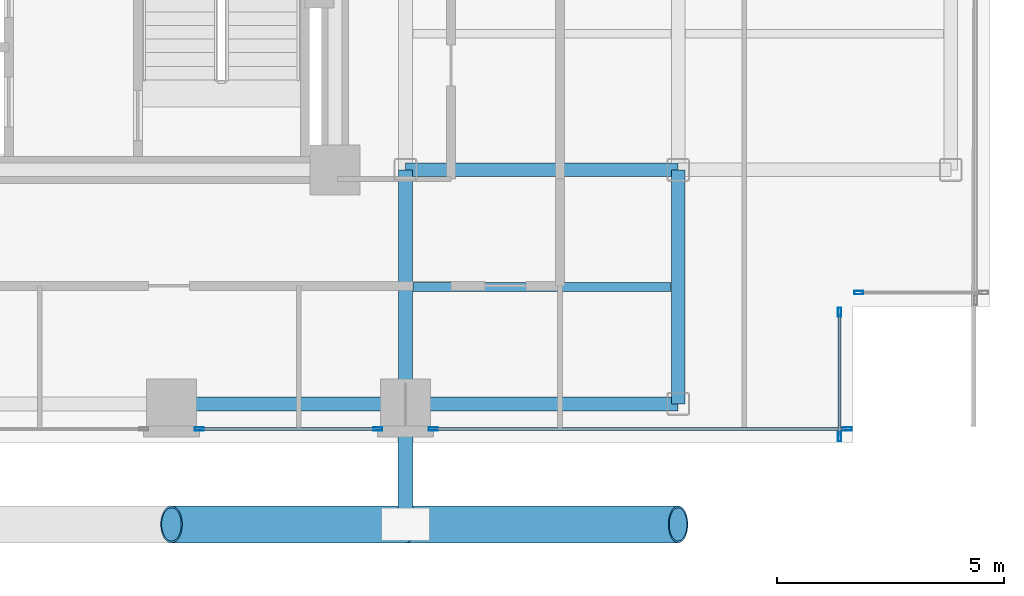
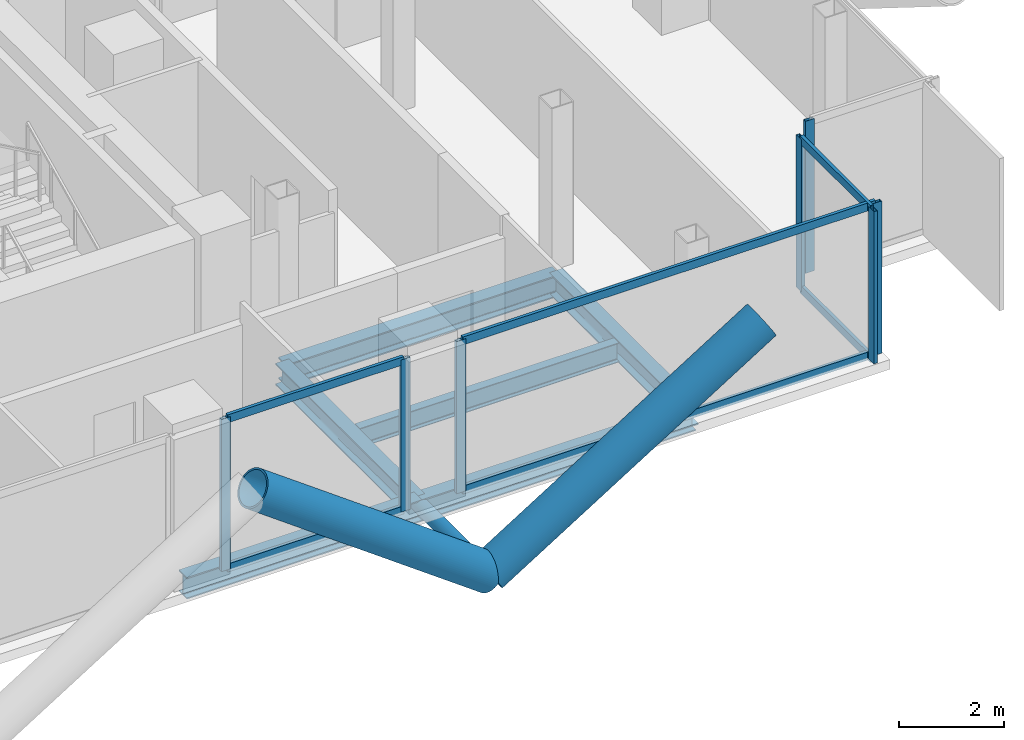
# One storey, part 9 of 24: 16 members, 6 beams, 4 elements without a shape of their own.
"""IFC4 building model written with IfcOpenShell, lengths in metres."""

import ifcopenshell
import ifcopenshell.guid

model = None  # the IFC model being written
_history = None  # IfcOwnerHistory: only IFC2X3 demands one
_inside = {}  # id of a spatial element -> (the spatial element, [elements in it])
_under = {}  # id of a project, library or spatial element -> (it, [spatial elements below it])
_declared = {}  # id of a project -> (the project, [libraries it declares])
_typed = {}  # id of a type object -> (the type object, [elements of that type])
_made_of = {}  # id of a material, layer set ... -> (it, [elements and type objects made of it])


def new_model(schema):
    """Start an empty IFC model of exactly this schema.

    Asked for "IFC4X3", IfcOpenShell would pick the latest addendum, in which some entities
    have other attributes; the version numbers below select the first issue.
    IFC2X3 requires an IfcOwnerHistory on every rooted entity: one is made here for all.
    """
    global model, _history
    if schema == "IFC4X3":
        model = ifcopenshell.file(schema_version=(4, 3, 0, 0))
    else:
        model = ifcopenshell.file(schema=schema)
    _inside.clear()
    _under.clear()
    _declared.clear()
    _typed.clear()
    _made_of.clear()
    _history = None
    if model.schema == "IFC2X3":
        org = make("IfcOrganization", Name="unknown")
        user = make(
            "IfcPersonAndOrganization",
            ThePerson=make("IfcPerson", FamilyName="unknown"),
            TheOrganization=org,
        )
        app = make(
            "IfcApplication",
            ApplicationDeveloper=org,
            Version="unknown",
            ApplicationFullName="unknown",
            ApplicationIdentifier="unknown",
        )
        _history = make(
            "IfcOwnerHistory",
            OwningUser=user,
            OwningApplication=app,
            ChangeAction="ADDED",
            CreationDate=0,
        )
    return model


def make(cls, **values):
    """One entity of the class cls with the attributes given. An attribute that is None is left unset."""
    return model.create_entity(
        cls, **{name: value for name, value in values.items() if value is not None}
    )


def rooted(cls, **values):
    """An entity with a GlobalId (a new one), such as an element, a storey or a relation."""
    return make(cls, GlobalId=ifcopenshell.guid.new(), OwnerHistory=_history, **values)


def si_unit(unit_type, name, prefix=None):
    """IfcSIUnit, for example si_unit("LENGTHUNIT", "METRE", prefix="MILLI")."""
    return make("IfcSIUnit", UnitType=unit_type, Prefix=prefix, Name=name)


def assignment(units):
    """IfcUnitAssignment: the units of a project."""
    return None if units is None else make("IfcUnitAssignment", Units=units)


def point(xyz):
    """IfcCartesianPoint."""
    return None if xyz is None else make("IfcCartesianPoint", Coordinates=xyz)


def direction(xyz):
    """IfcDirection."""
    return None if xyz is None else make("IfcDirection", DirectionRatios=xyz)


def frame(location, z_axis=None, x_axis=None):
    """IfcAxis2Placement3D, a coordinate frame: its origin and axes. An axis left out is left unset."""
    return make(
        "IfcAxis2Placement3D",
        Location=point(location),
        Axis=direction(z_axis),
        RefDirection=direction(x_axis),
    )


def frame_2d(location, x_axis=None):
    """IfcAxis2Placement2D, a coordinate frame in the plane: its origin and x axis."""
    return make(
        "IfcAxis2Placement2D", Location=point(location), RefDirection=direction(x_axis)
    )


def origin():
    """The frame at (0, 0, 0) with its axes left unset."""
    return frame((0.0, 0.0, 0.0))


def origin_2d():
    """The frame at (0, 0) in the plane with its x axis left unset."""
    return frame_2d((0.0, 0.0))


def place(relative_to, where):
    """IfcLocalPlacement: puts the frame where relative to a parent placement (None: the world)."""
    return make(
        "IfcLocalPlacement", PlacementRelTo=relative_to, RelativePlacement=where
    )


def context(
    kind, dimensions, precision=None, world=None, true_north=None, identifier=None
):
    """IfcGeometricRepresentationContext, for example the 3D "Model" context."""
    return make(
        "IfcGeometricRepresentationContext",
        ContextIdentifier=identifier,
        ContextType=kind,
        CoordinateSpaceDimension=dimensions,
        Precision=precision,
        WorldCoordinateSystem=world,
        TrueNorth=true_north,
    )


def subcontext(parent, identifier, kind, view, scale=None):
    """IfcGeometricRepresentationSubContext, for example "Body" below "Model"."""
    return make(
        "IfcGeometricRepresentationSubContext",
        ContextIdentifier=identifier,
        ContextType=kind,
        ParentContext=parent,
        TargetScale=scale,
        TargetView=view,
    )


def project(units=None, contexts=None):
    """IfcProject with its units and contexts."""
    return rooted(
        "IfcProject",
        Name="project",
        RepresentationContexts=contexts,
        UnitsInContext=assignment(units),
    )


def spatial(cls, under=None, at=None, **own):
    """A site, building, storey or space (cls), placed at a placement, below another one or the project."""
    s = rooted(cls, ObjectPlacement=at, **own)
    if under is not None:
        _under.setdefault(under.id(), (under, []))[1].append(s)
    return s


def profile(cls, at=None, kind="AREA", **sizes):
    """A parametric profile (cls). Its sizes go by their IFC names, for example OverallWidth=200.0."""
    return make(cls, ProfileType=kind, Position=at, **sizes)


def hollow_rectangle(**sizes):
    """IfcRectangleHollowProfileDef."""
    return profile("IfcRectangleHollowProfileDef", **sizes)


def hollow_circle(**sizes):
    """IfcCircleHollowProfileDef."""
    return profile("IfcCircleHollowProfileDef", **sizes)


def i_section(**sizes):
    """IfcIShapeProfileDef."""
    return profile("IfcIShapeProfileDef", **sizes)


def extrude(swept, where, along, depth):
    """IfcExtrudedAreaSolid: the profile swept, set in the frame where, extruded along a direction by depth."""
    return make(
        "IfcExtrudedAreaSolid",
        SweptArea=swept,
        Position=where,
        ExtrudedDirection=direction(along),
        Depth=depth,
    )


def shape(context_of_items, identifier, shape_type, items):
    """IfcShapeRepresentation: the items that make up one representation, for example the "Body"."""
    return make(
        "IfcShapeRepresentation",
        ContextOfItems=context_of_items,
        RepresentationIdentifier=identifier,
        RepresentationType=shape_type,
        Items=items,
    )


def material(Name=None, Category=None):
    """IfcMaterial."""
    return make("IfcMaterial", Name=Name, Category=Category)


def layer(
    of_material, thickness, ventilated=None, Name=None, Category=None, Priority=None
):
    """IfcMaterialLayer: one layer of a wall or slab, of a material (None: an air gap)."""
    return make(
        "IfcMaterialLayer",
        Material=of_material,
        LayerThickness=thickness,
        IsVentilated=ventilated,
        Name=Name,
        Category=Category,
        Priority=Priority,
    )


def layer_set(layers, Name=None):
    """IfcMaterialLayerSet."""
    return make("IfcMaterialLayerSet", MaterialLayers=layers, LayerSetName=Name)


def material_profile(
    of_material, cross_section, Name=None, Category=None, Priority=None
):
    """IfcMaterialProfile: a cross section and its material."""
    return make(
        "IfcMaterialProfile",
        Name=Name,
        Material=of_material,
        Profile=cross_section,
        Priority=Priority,
        Category=Category,
    )


def profile_set(profiles, Name=None, composite=None):
    """IfcMaterialProfileSet."""
    return make(
        "IfcMaterialProfileSet",
        Name=Name,
        MaterialProfiles=profiles,
        CompositeProfile=composite,
    )


def made_of(thing, what):
    """Note that an element or type object is made of a material, layer set ...; save() writes the relation."""
    if what is not None:
        _made_of.setdefault(what.id(), (what, []))[1].append(thing)
    return thing


def type_object(cls, material=None, **own):
    """A type object (cls), such as IfcWallType, which elements share."""
    return made_of(rooted(cls, **own), material)


def element(
    cls,
    number,
    at=None,
    inside=None,
    cuts=None,
    type_object=None,
    material=None,
    context=None,
    identifier="Body",
    shape_type=None,
    held_by="IfcProductDefinitionShape",
    body=None,
    shapes=None,
    **own,
):
    """One element of the class cls, such as IfcWall. Its Tag is "e" and its number.

    at: its placement. inside: the storey or other place that contains it. cuts: it is an
    opening in that element (IfcRelVoidsElement). A single representation is given by context,
    identifier, shape_type and body (its items); several are given by shapes. held_by: the class
    of the entity that holds the representations. save() writes the other relations.
    """
    e = rooted(cls, Tag="e%d" % number, ObjectPlacement=at, **own)
    if body is not None:
        shapes = [shape(context, identifier, shape_type, body)]
    if shapes is not None:
        e.Representation = make(held_by, Representations=shapes)
    if inside is not None:
        _inside.setdefault(inside.id(), (inside, []))[1].append(e)
    if cuts is not None:
        rooted(
            "IfcRelVoidsElement", RelatingBuildingElement=cuts, RelatedOpeningElement=e
        )
    if type_object is not None:
        _typed.setdefault(type_object.id(), (type_object, []))[1].append(e)
    return made_of(e, material)


def aggregate(whole, parts):
    """IfcRelAggregates: a whole, such as a stair, and the parts it consists of."""
    return rooted("IfcRelAggregates", RelatingObject=whole, RelatedObjects=parts)


def save(model, path):
    """Write the relations noted so far, then the file.

    IfcRelAggregates (storeys below a building ...), IfcRelContainedInSpatialStructure (elements
    in a storey), IfcRelDefinesByType, IfcRelAssociatesMaterial and IfcRelDeclares: one each for
    every whole, place, type object, material and project.
    """
    for whole, parts in _under.values():
        aggregate(whole, parts)
    for where, things in _inside.values():
        rooted(
            "IfcRelContainedInSpatialStructure",
            RelatedElements=things,
            RelatingStructure=where,
        )
    for kind, things in _typed.values():
        rooted("IfcRelDefinesByType", RelatedObjects=things, RelatingType=kind)
    for what, things in _made_of.values():
        rooted("IfcRelAssociatesMaterial", RelatedObjects=things, RelatingMaterial=what)
    for by, libraries in _declared.values():
        rooted("IfcRelDeclares", RelatingContext=by, RelatedDefinitions=libraries)
    model.write(path)


model = new_model("IFC4")

# Units and contexts
model_context = context("Model", 3, precision=1e-05, world=origin(), true_north=direction((0.0, 1.0)))
body_context = subcontext(model_context, "Body", "Model", "MODEL_VIEW")
ifc_project = project(units=[si_unit("LENGTHUNIT", "METRE"), si_unit("AREAUNIT", "SQUARE_METRE"), si_unit("VOLUMEUNIT", "CUBIC_METRE"), si_unit("PLANEANGLEUNIT", "RADIAN"), si_unit("MASSUNIT", "GRAM", prefix="KILO"), si_unit("THERMODYNAMICTEMPERATUREUNIT", "KELVIN"), si_unit("POWERUNIT", "WATT")], contexts=[model_context])

# Site, building, storey
site_placement = place(None, origin())
site = spatial("IfcSite", under=ifc_project, at=site_placement, CompositionType="ELEMENT")
building_placement = place(site_placement, origin())
building = spatial("IfcBuilding", under=site, at=building_placement, Name="Svarakhadi Broadcast Tower", CompositionType="ELEMENT")
storey_placement = place(building_placement, frame((0.0, 0.0, 145.64990234375)))
storey = spatial("IfcBuildingStorey", under=building, at=storey_placement, Name="L35", CompositionType="ELEMENT", Elevation=145.64990234375)

# Beam
ifc_material_1 = material(Name="Steel S355J2 (IS 2062 E350C)", Category="steel")
ifc_material_profile_1 = material_profile(ifc_material_1, i_section(OverallWidth=0.18994140625, OverallDepth=0.449951171875, WebThickness=0.009521484375, FlangeThickness=0.0146484375, FilletRadius=0.02099609375, at=origin_2d()), Name="NPB 450x190x78")
ifc_profile_set_1 = profile_set([ifc_material_profile_1], Name="Steel S355J2 (IS 2062 E350C)")
beam_type_1 = type_object("IfcBeamType", Name="Beam_NPB450", PredefinedType="BEAM", material=ifc_profile_set_1)
beam_1_placement = place(storey_placement, frame((35.31005859375, 3.425048828125, -0.449951171875), z_axis=(1.0, 0.0, 0.0), x_axis=(0.0, 1.0, 0.0)))
element("IfcBeam", 1, at=beam_1_placement, inside=storey, type_object=beam_type_1, Name="L35 Secondary Composite Beam SB019", PredefinedType="BEAM", context=body_context, shape_type="SweptSolid", body=[
    extrude(i_section(OverallWidth=0.18994140625, OverallDepth=0.449951171875, WebThickness=0.009521484375, FlangeThickness=0.0146484375, FilletRadius=0.02099609375, at=origin_2d()), origin(), (0.0, 0.0, 1.0), 5.679931640625),
])

# Curtain wall, member
ifc_material_2 = material(Name="Anodised Bronze Aluminium AA 6063-T6", Category="aluminium")
ifc_layer = layer(ifc_material_2, 0.199951171875)
ifc_layer_set = layer_set([ifc_layer], Name="Anodised Bronze Aluminium AA 6063-T6")
curtain_wall_type = type_object("IfcCurtainWallType", Name="CW_Sys_03", PredefinedType="NOTDEFINED", material=ifc_layer_set)
curtain_wall_1_placement = place(storey_placement, origin())
curtain_wall_1 = element("IfcCurtainWall", 2, at=curtain_wall_1_placement, inside=storey, type_object=curtain_wall_type, Name="L35 Unitised Facade Curtain Wall 14", PredefinedType="NOTDEFINED")
ifc_material_profile_2 = material_profile(ifc_material_2, hollow_rectangle(XDim=0.074951171875, YDim=0.199951171875, WallThickness=0.005615234375, at=origin_2d()), Name="ALU MULLION 200x75x6")
ifc_profile_set_2 = profile_set([ifc_material_profile_2], Name="Anodised Bronze Aluminium AA 6063-T6")
member_type_1 = type_object("IfcMemberType", Name="CW_Sys_03_Mul", PredefinedType="MULLION", material=ifc_profile_set_2)
member_1_placement = place(storey_placement, frame((45.12744140625, 3.300048828125, 0.0), z_axis=(0.0, 0.0, 1.0), x_axis=(0.0, -1.0, 0.0)))
member_1 = element("IfcMember", 3, at=member_1_placement, type_object=member_type_1, Name="CW-03 mullion 2", PredefinedType="MULLION", context=body_context, shape_type="SweptSolid", body=[
    extrude(hollow_rectangle(XDim=0.074951171875, YDim=0.199951171875, WallThickness=0.005615234375, at=origin_2d()), origin(), (0.0, 0.0, 1.0), 3.525146484375),
])
aggregate(curtain_wall_1, [member_1])

# Curtain wall, members
curtain_wall_2_placement = place(storey_placement, origin())
curtain_wall_2 = element("IfcCurtainWall", 4, at=curtain_wall_2_placement, inside=storey, type_object=curtain_wall_type, Name="L35 Unitised Facade Curtain Wall 15", PredefinedType="NOTDEFINED")
member_2_placement = place(storey_placement, frame((44.699951171875, 2.87255859375, 0.0), z_axis=(0.0, 0.0, 1.0), x_axis=(1.0, 0.0, 0.0)))
member_2 = element("IfcMember", 5, at=member_2_placement, type_object=member_type_1, Name="CW-03 mullion 1", PredefinedType="MULLION", context=body_context, shape_type="SweptSolid", body=[
    extrude(hollow_rectangle(XDim=0.074951171875, YDim=0.199951171875, WallThickness=0.005615234375, at=origin_2d()), origin(), (0.0, 0.0, 1.0), 3.525146484375),
])
member_3_placement = place(storey_placement, frame((44.699951171875, 0.12744140625, 0.0), z_axis=(0.0, 0.0, 1.0), x_axis=(1.0, 0.0, 0.0)))
member_3 = element("IfcMember", 6, at=member_3_placement, type_object=member_type_1, Name="CW-03 mullion 2", PredefinedType="MULLION", context=body_context, shape_type="SweptSolid", body=[
    extrude(hollow_rectangle(XDim=0.074951171875, YDim=0.199951171875, WallThickness=0.005615234375, at=origin_2d()), origin(), (0.0, 0.0, 1.0), 3.525146484375),
])

curtain_wall_3_placement = place(storey_placement, origin())
curtain_wall_3 = element("IfcCurtainWall", 7, at=curtain_wall_3_placement, inside=storey, type_object=curtain_wall_type, Name="L35 South Curtain Wall 16 Bay 1", PredefinedType="NOTDEFINED")
member_4_placement = place(storey_placement, frame((44.87255859375, 0.300048828125, 0.0), z_axis=(0.0, 0.0, 1.0), x_axis=(0.0, -1.0, 0.0)))
member_4 = element("IfcMember", 8, at=member_4_placement, type_object=member_type_1, Name="CW-03 mullion 1", PredefinedType="MULLION", context=body_context, shape_type="SweptSolid", body=[
    extrude(hollow_rectangle(XDim=0.074951171875, YDim=0.199951171875, WallThickness=0.005615234375, at=origin_2d()), origin(), (0.0, 0.0, 1.0), 3.525146484375),
])
member_5_placement = place(storey_placement, frame((35.757568359375, 0.300048828125, 0.0), z_axis=(0.0, 0.0, 1.0), x_axis=(0.0, -1.0, 0.0)))
member_5 = element("IfcMember", 9, at=member_5_placement, type_object=member_type_1, Name="CW-03 mullion 2", PredefinedType="MULLION", context=body_context, shape_type="SweptSolid", body=[
    extrude(hollow_rectangle(XDim=0.074951171875, YDim=0.199951171875, WallThickness=0.005615234375, at=origin_2d()), origin(), (0.0, 0.0, 1.0), 3.525146484375),
])

curtain_wall_4_placement = place(storey_placement, origin())
curtain_wall_4 = element("IfcCurtainWall", 10, at=curtain_wall_4_placement, inside=storey, type_object=curtain_wall_type, Name="L35 South Curtain Wall 16 Bay 2", PredefinedType="NOTDEFINED")
member_6_placement = place(storey_placement, frame((34.54248046875, 0.300048828125, 0.0), z_axis=(0.0, 0.0, 1.0), x_axis=(0.0, -1.0, 0.0)))
member_6 = element("IfcMember", 11, at=member_6_placement, type_object=member_type_1, Name="CW-03 mullion 1", PredefinedType="MULLION", context=body_context, shape_type="SweptSolid", body=[
    extrude(hollow_rectangle(XDim=0.074951171875, YDim=0.199951171875, WallThickness=0.005615234375, at=origin_2d()), origin(), (0.0, 0.0, 1.0), 3.525146484375),
])
member_7_placement = place(storey_placement, frame((30.607421875, 0.300048828125, 0.0), z_axis=(0.0, 0.0, 1.0), x_axis=(0.0, -1.0, 0.0)))
member_7 = element("IfcMember", 12, at=member_7_placement, type_object=member_type_1, Name="CW-03 mullion 2", PredefinedType="MULLION", context=body_context, shape_type="SweptSolid", body=[
    extrude(hollow_rectangle(XDim=0.074951171875, YDim=0.199951171875, WallThickness=0.005615234375, at=origin_2d()), origin(), (0.0, 0.0, 1.0), 3.525146484375),
])

# Member
ifc_material_profile_3 = material_profile(ifc_material_2, hollow_rectangle(XDim=0.070068359375, YDim=0.18505859375, WallThickness=0.0048828125, at=origin_2d()), Name="ALU TRANSOM 185x70x5")
ifc_profile_set_3 = profile_set([ifc_material_profile_3], Name="Anodised Bronze Aluminium AA 6063-T6")
member_type_2 = type_object("IfcMemberType", Name="CW_Sys_03_Trn", PredefinedType="USERDEFINED", material=ifc_profile_set_3)
member_8_placement = place(storey_placement, frame((44.699951171875, 2.8349609375, 0.03515625), z_axis=(0.0, -1.0, 0.0), x_axis=(1.0, 0.0, 0.0)))
member_8 = element("IfcMember", 13, at=member_8_placement, type_object=member_type_2, Name="CW-03 transom 1.1", ObjectType="TRANSOM", PredefinedType="USERDEFINED", context=body_context, shape_type="SweptSolid", body=[
    extrude(hollow_rectangle(XDim=0.070068359375, YDim=0.18505859375, WallThickness=0.0048828125, at=origin_2d()), origin(), (0.0, 0.0, 1.0), 2.669921875),
])

member_9_placement = place(storey_placement, frame((44.699951171875, 2.8349609375, 3.489990234375), z_axis=(0.0, -1.0, 0.0), x_axis=(1.0, 0.0, 0.0)))
member_9 = element("IfcMember", 14, at=member_9_placement, type_object=member_type_2, Name="CW-03 transom 1.2", ObjectType="TRANSOM", PredefinedType="USERDEFINED", context=body_context, shape_type="SweptSolid", body=[
    extrude(hollow_rectangle(XDim=0.070068359375, YDim=0.18505859375, WallThickness=0.0048828125, at=origin_2d()), origin(), (0.0, 0.0, 1.0), 2.669921875),
])

aggregate(curtain_wall_2, [member_2, member_3, member_8, member_9])

member_10_placement = place(storey_placement, frame((44.8349609375, 0.300048828125, 0.03515625), z_axis=(-1.0, 0.0, 0.0), x_axis=(0.0, -1.0, 0.0)))
member_10 = element("IfcMember", 15, at=member_10_placement, type_object=member_type_2, Name="CW-03 transom 1.1", ObjectType="TRANSOM", PredefinedType="USERDEFINED", context=body_context, shape_type="SweptSolid", body=[
    extrude(hollow_rectangle(XDim=0.070068359375, YDim=0.18505859375, WallThickness=0.0048828125, at=origin_2d()), origin(), (0.0, 0.0, 1.0), 9.0400390625),
])

member_11_placement = place(storey_placement, frame((44.8349609375, 0.300048828125, 3.489990234375), z_axis=(-1.0, 0.0, 0.0), x_axis=(0.0, -1.0, 0.0)))
member_11 = element("IfcMember", 16, at=member_11_placement, type_object=member_type_2, Name="CW-03 transom 1.2", ObjectType="TRANSOM", PredefinedType="USERDEFINED", context=body_context, shape_type="SweptSolid", body=[
    extrude(hollow_rectangle(XDim=0.070068359375, YDim=0.18505859375, WallThickness=0.0048828125, at=origin_2d()), origin(), (0.0, 0.0, 1.0), 9.0400390625),
])

aggregate(curtain_wall_3, [member_4, member_5, member_10, member_11])

member_12_placement = place(storey_placement, frame((34.5048828125, 0.300048828125, 0.03515625), z_axis=(-1.0, 0.0, 0.0), x_axis=(0.0, -1.0, 0.0)))
member_12 = element("IfcMember", 17, at=member_12_placement, type_object=member_type_2, Name="CW-03 transom 1.1", ObjectType="TRANSOM", PredefinedType="USERDEFINED", context=body_context, shape_type="SweptSolid", body=[
    extrude(hollow_rectangle(XDim=0.070068359375, YDim=0.18505859375, WallThickness=0.0048828125, at=origin_2d()), origin(), (0.0, 0.0, 1.0), 3.85986328125),
])

member_13_placement = place(storey_placement, frame((34.5048828125, 0.300048828125, 3.489990234375), z_axis=(-1.0, 0.0, 0.0), x_axis=(0.0, -1.0, 0.0)))
member_13 = element("IfcMember", 18, at=member_13_placement, type_object=member_type_2, Name="CW-03 transom 1.2", ObjectType="TRANSOM", PredefinedType="USERDEFINED", context=body_context, shape_type="SweptSolid", body=[
    extrude(hollow_rectangle(XDim=0.070068359375, YDim=0.18505859375, WallThickness=0.0048828125, at=origin_2d()), origin(), (0.0, 0.0, 1.0), 3.85986328125),
])

aggregate(curtain_wall_4, [member_6, member_7, member_12, member_13])

# Members
ifc_material_3 = material(Name="Steel S460ML (IS 2062 E450BR)", Category="steel")
ifc_material_profile_4 = material_profile(ifc_material_3, hollow_circle(Radius=0.406494140625, WallThickness=0.0400390625, at=origin_2d()), Name="CHS 813x40")
ifc_profile_set_4 = profile_set([ifc_material_profile_4], Name="Steel S460ML (IS 2062 E450BR)")
member_type_3 = type_object("IfcMemberType", Name="Exo_Brace_CHS813", PredefinedType="BRACE", material=ifc_profile_set_4)
member_14_placement = place(storey_placement, frame((35.14990234375, -1.800048828125, -0.386962890625), z_axis=(-0.808391243061, 0.0, 0.588645562407), x_axis=(0.0, -1.0, 0.0)))
element("IfcMember", 19, at=member_14_placement, inside=storey, type_object=member_type_3, Name="L35 Exposed Bronze Exoskeleton Diagonal S02", PredefinedType="BRACE", context=body_context, shape_type="SweptSolid", body=[
    extrude(hollow_circle(Radius=0.406494140625, WallThickness=0.0400390625, at=origin_2d()), origin(), (0.0, 0.0, 1.0), 6.37060546875),
])
member_15_placement = place(storey_placement, frame((35.14990234375, -1.800048828125, -0.386962890625), z_axis=(0.847998304005, 0.0, 0.529998940003), x_axis=(0.0, 1.0, 0.0)))
element("IfcMember", 20, at=member_15_placement, inside=storey, type_object=member_type_3, Name="L35 Exposed Bronze Exoskeleton Diagonal S03", PredefinedType="BRACE", context=body_context, shape_type="SweptSolid", body=[
    extrude(hollow_circle(Radius=0.406494140625, WallThickness=0.0400390625, at=origin_2d()), origin(), (0.0, 0.0, 1.0), 7.075439453125),
])
ifc_material_profile_5 = material_profile(ifc_material_3, hollow_circle(Radius=0.161865234375, WallThickness=0.01611328125, at=origin_2d()), Name="CHS 323.9x16")
ifc_profile_set_5 = profile_set([ifc_material_profile_5], Name="Steel S460ML (IS 2062 E450BR)")
member_type_4 = type_object("IfcMemberType", Name="Exo_Radial_Strut_Z2", PredefinedType="STRUT", material=ifc_profile_set_5)
member_16_placement = place(storey_placement, frame((35.14990234375, -1.800048828125, -0.386962890625), z_axis=(0.0, 1.0, 0.0), x_axis=(-1.0, 0.0, 0.0)))
element("IfcMember", 21, at=member_16_placement, inside=storey, type_object=member_type_4, Name="L35 Exoskeleton Radial Tie Strut S02", PredefinedType="STRUT", context=body_context, shape_type="SweptSolid", body=[
    extrude(hollow_circle(Radius=0.161865234375, WallThickness=0.01611328125, at=origin_2d()), origin(), (0.0, 0.0, 1.0), 2.650146484375),
])

# Beams
ifc_material_profile_6 = material_profile(ifc_material_1, i_section(OverallWidth=0.300048828125, OverallDepth=0.5, WebThickness=0.014404296875, FlangeThickness=0.028076171875, FilletRadius=0.027099609375, at=origin_2d()), Name="WPB 500x300x187")
ifc_profile_set_6 = profile_set([ifc_material_profile_6], Name="Steel S355J2 (IS 2062 E350C)")
beam_type_2 = type_object("IfcBeamType", Name="Girder_WPB500", PredefinedType="USERDEFINED", material=ifc_profile_set_6)
beam_2_placement = place(storey_placement, frame((30.0, 0.85009765625, -0.474853515625), z_axis=(1.0, 0.0, 0.0), x_axis=(0.0, 1.0, 0.0)))
element("IfcBeam", 22, at=beam_2_placement, inside=storey, type_object=beam_type_2, Name="L35 Primary E-W Girder G008", ObjectType="GIRDER", PredefinedType="USERDEFINED", context=body_context, shape_type="SweptSolid", body=[
    extrude(i_section(OverallWidth=0.300048828125, OverallDepth=0.5, WebThickness=0.014404296875, FlangeThickness=0.028076171875, FilletRadius=0.027099609375, at=origin_2d()), origin(), (0.0, 0.0, 1.0), 5.14990234375),
])
for number, where, z_axis, x_axis, name in (
    (23, (35.14990234375, 0.85009765625, -0.474853515625), (1.0, 0.0, 0.0), (0.0, 1.0, 0.0), "L35 Primary E-W Girder G009"),
    (24, (35.14990234375, 6.0, -0.474853515625), (1.0, 0.0, 0.0), (0.0, 1.0, 0.0), "L35 Primary E-W Girder G015"),
):
    element("IfcBeam", number, at=place(storey_placement, frame(where, z_axis=z_axis, x_axis=x_axis)), inside=storey, type_object=beam_type_2, Name=name, ObjectType="GIRDER", PredefinedType="USERDEFINED", context=body_context, shape_type="SweptSolid", body=[
        extrude(i_section(OverallWidth=0.300048828125, OverallDepth=0.5, WebThickness=0.014404296875, FlangeThickness=0.028076171875, FilletRadius=0.027099609375, at=origin_2d()), origin(), (0.0, 0.0, 1.0), 6.0),
    ])
for number, where, z_axis, x_axis, name in (
    (25, (35.14990234375, 0.85009765625, -0.474853515625), (0.0, 1.0, 0.0), (-1.0, 0.0, 0.0), "L35 Primary N-S Girder G067"),
    (26, (41.14990234375, 0.85009765625, -0.474853515625), (0.0, 1.0, 0.0), (-1.0, 0.0, 0.0), "L35 Primary N-S Girder G070"),
):
    element("IfcBeam", number, at=place(storey_placement, frame(where, z_axis=z_axis, x_axis=x_axis)), inside=storey, type_object=beam_type_2, Name=name, ObjectType="GIRDER", PredefinedType="USERDEFINED", context=body_context, shape_type="SweptSolid", body=[
        extrude(i_section(OverallWidth=0.300048828125, OverallDepth=0.5, WebThickness=0.014404296875, FlangeThickness=0.028076171875, FilletRadius=0.027099609375, at=origin_2d()), origin(), (0.0, 0.0, 1.0), 5.14990234375),
    ])

save(model, "model.ifc")
